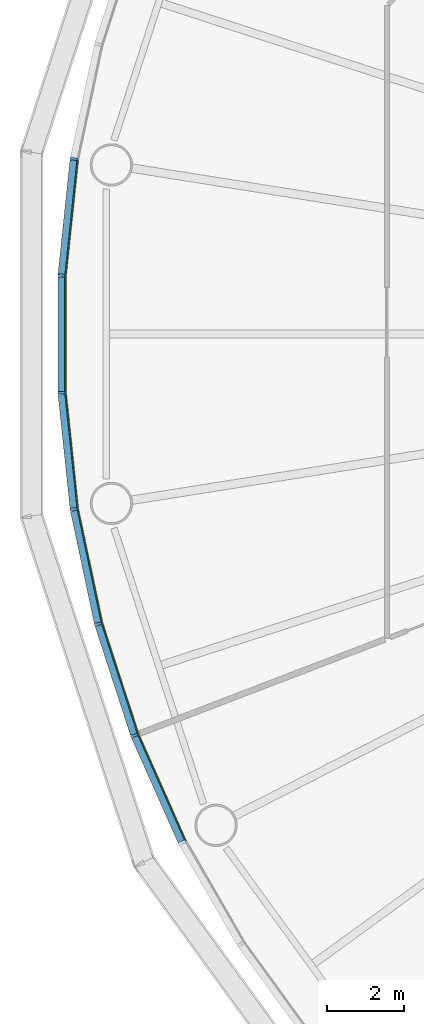
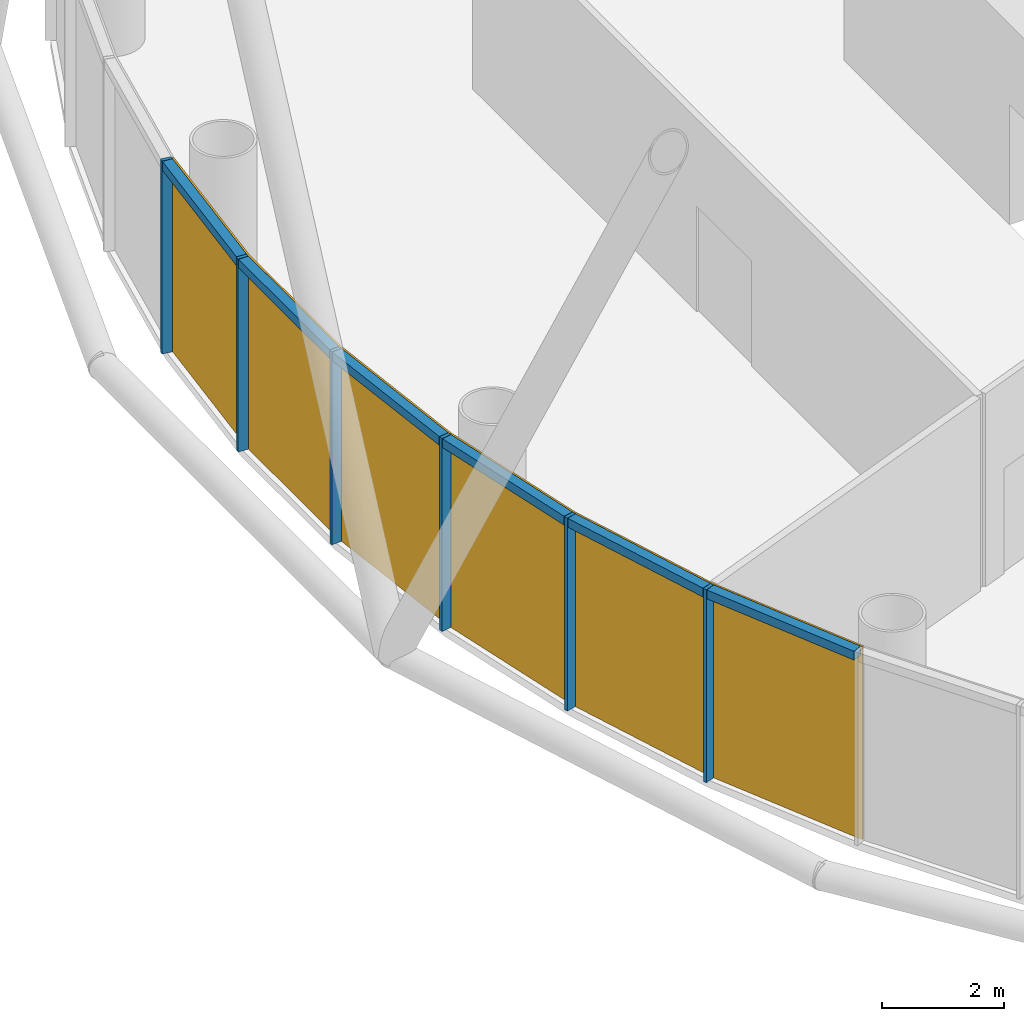
# One storey, part 7 of 12: 12 members, 2 curtain walls.
"""IFC4 building model written with IfcOpenShell, lengths in metres."""

from ifc_helpers import new_model, si_unit, direction, frame, origin, origin_2d, place, context, subcontext, project, spatial, polyline, rectangle, outline, extrude, material, layer, layer_set, material_profile, profile_set, type_object, element, aggregate, save


model = new_model("IFC4")

# Units and contexts
model_context = context("Model", 3, precision=1e-05, world=origin(), true_north=direction((0.0, 1.0)))
body_context = subcontext(model_context, "Body", "Model", "MODEL_VIEW")
ifc_project = project(units=[si_unit("LENGTHUNIT", "METRE"), si_unit("AREAUNIT", "SQUARE_METRE"), si_unit("VOLUMEUNIT", "CUBIC_METRE"), si_unit("PLANEANGLEUNIT", "RADIAN"), si_unit("MASSUNIT", "GRAM", prefix="KILO")], contexts=[model_context])

# Member
ifc_material_1 = material(Name="Anodised aluminium", Category="aluminium")
ifc_material_profile_1 = material_profile(ifc_material_1, rectangle(XDim=0.06494140625, YDim=0.18505859375, at=origin_2d()), Name="Mullion 65 x 185 mm anodised aluminium")
ifc_profile_set_1 = profile_set([ifc_material_profile_1], Name="Anodised aluminium")
member_type_1 = type_object("IfcMemberType", Name="Mullion 65 x 185 mm anodised aluminium", PredefinedType="MULLION", material=ifc_profile_set_1)
site_placement = place(None, origin())
building_placement = place(site_placement, origin())
storey_placement = place(building_placement, frame((0.0, 0.0, 144.0)))
member_1_placement = place(storey_placement, frame((61.265625, 84.551025390625, 0.0), z_axis=(0.0, 0.0, 1.0), x_axis=(-0.15643446504, -0.987688340595, 0.0)))
member_1 = element("IfcMember", 1, at=member_1_placement, type_object=member_type_1, Name="MULLION L32-27", PredefinedType="MULLION", context=body_context, shape_type="SweptSolid", body=[
    extrude(rectangle(XDim=0.06494140625, YDim=0.18505859375, at=origin_2d()), origin(), (0.0, 0.0, 1.0), 3.85009765625),
])

member_2_placement = place(storey_placement, frame((60.947265625, 81.522705078125, 0.0), z_axis=(0.0, 0.0, 1.0), x_axis=(-0.052335956243, -0.998629534755, 0.0)))
member_2 = element("IfcMember", 2, at=member_2_placement, type_object=member_type_1, Name="MULLION L32-28", PredefinedType="MULLION", context=body_context, shape_type="SweptSolid", body=[
    extrude(rectangle(XDim=0.06494140625, YDim=0.18505859375, at=origin_2d()), origin(), (0.0, 0.0, 1.0), 3.85009765625),
])

member_3_placement = place(storey_placement, frame((60.947265625, 78.477294921875, 0.0), z_axis=(0.0, 0.0, 1.0), x_axis=(0.052335956243, -0.998629534755, 0.0)))
member_3 = element("IfcMember", 3, at=member_3_placement, type_object=member_type_1, Name="MULLION L32-29", PredefinedType="MULLION", context=body_context, shape_type="SweptSolid", body=[
    extrude(rectangle(XDim=0.06494140625, YDim=0.18505859375, at=origin_2d()), origin(), (0.0, 0.0, 1.0), 3.85009765625),
])

member_4_placement = place(storey_placement, frame((61.265625, 75.448974609375, 0.0), z_axis=(0.0, 0.0, 1.0), x_axis=(0.15643446504, -0.987688340595, 0.0)))
member_4 = element("IfcMember", 4, at=member_4_placement, type_object=member_type_1, Name="MULLION L32-30", PredefinedType="MULLION", context=body_context, shape_type="SweptSolid", body=[
    extrude(rectangle(XDim=0.06494140625, YDim=0.18505859375, at=origin_2d()), origin(), (0.0, 0.0, 1.0), 3.85009765625),
])

member_5_placement = place(storey_placement, frame((61.898681640625, 72.47021484375, 0.0), z_axis=(0.0, 0.0, 1.0), x_axis=(0.258819045103, -0.965925826289, 0.0)))
member_5 = element("IfcMember", 5, at=member_5_placement, type_object=member_type_1, Name="MULLION L32-31", PredefinedType="MULLION", context=body_context, shape_type="SweptSolid", body=[
    extrude(rectangle(XDim=0.06494140625, YDim=0.18505859375, at=origin_2d()), origin(), (0.0, 0.0, 1.0), 3.85009765625),
])

member_6_placement = place(storey_placement, frame((62.83984375, 69.57421875, 0.0), z_axis=(0.0, 0.0, 1.0), x_axis=(0.358367949545, -0.933580426497, 0.0)))
member_6 = element("IfcMember", 6, at=member_6_placement, type_object=member_type_1, Name="MULLION L32-32", PredefinedType="MULLION", context=body_context, shape_type="SweptSolid", body=[
    extrude(rectangle(XDim=0.06494140625, YDim=0.18505859375, at=origin_2d()), origin(), (0.0, 0.0, 1.0), 3.85009765625),
])

ifc_material_2 = material(Name="Anodised aluminium", Category="aluminium")
ifc_material_profile_2 = material_profile(ifc_material_2, rectangle(XDim=0.18505859375, YDim=0.175048828125, at=origin_2d()), Name="Transom 175 x 185 mm anodised aluminium")
ifc_profile_set_2 = profile_set([ifc_material_profile_2], Name="Anodised aluminium")
member_type_2 = type_object("IfcMemberType", Name="Transom 175 x 185 mm anodised aluminium", PredefinedType="USERDEFINED", material=ifc_profile_set_2)
member_7_placement = place(storey_placement, frame((61.26171875, 84.513916015625, 3.762451171875), z_axis=(-0.104547872381, -0.994519855197, 0.0), x_axis=(0.994519855197, -0.104547872381, 0.0)))
member_7 = element("IfcMember", 7, at=member_7_placement, type_object=member_type_2, Name="TRANSOM L32-27", ObjectType="TRANSOM", PredefinedType="USERDEFINED", context=body_context, shape_type="SweptSolid", body=[
    extrude(rectangle(XDim=0.18505859375, YDim=0.175048828125, at=origin_2d()), origin(), (0.0, 0.0, 1.0), 2.970458984375),
])

member_8_placement = place(storey_placement, frame((60.947265625, 81.4853515625, 3.762451171875), z_axis=(0.0, -1.0, 0.0), x_axis=(1.0, 0.0, 0.0)))
member_8 = element("IfcMember", 8, at=member_8_placement, type_object=member_type_2, Name="TRANSOM L32-28", ObjectType="TRANSOM", PredefinedType="USERDEFINED", context=body_context, shape_type="SweptSolid", body=[
    extrude(rectangle(XDim=0.18505859375, YDim=0.175048828125, at=origin_2d()), origin(), (0.0, 0.0, 1.0), 2.970703125),
])

member_9_placement = place(storey_placement, frame((60.951171875, 78.440185546875, 3.762451171875), z_axis=(0.104547872381, -0.994519855197, 0.0), x_axis=(0.994519855197, 0.104547872381, 0.0)))
member_9 = element("IfcMember", 9, at=member_9_placement, type_object=member_type_2, Name="TRANSOM L32-29", ObjectType="TRANSOM", PredefinedType="USERDEFINED", context=body_context, shape_type="SweptSolid", body=[
    extrude(rectangle(XDim=0.18505859375, YDim=0.175048828125, at=origin_2d()), origin(), (0.0, 0.0, 1.0), 2.970458984375),
])

member_10_placement = place(storey_placement, frame((61.2734375, 75.412353515625, 3.762451171875), z_axis=(0.207861704825, -0.97815822425, 0.0), x_axis=(0.97815822425, 0.207861704825, 0.0)))
member_10 = element("IfcMember", 10, at=member_10_placement, type_object=member_type_2, Name="TRANSOM L32-30", ObjectType="TRANSOM", PredefinedType="USERDEFINED", context=body_context, shape_type="SweptSolid", body=[
    extrude(rectangle(XDim=0.18505859375, YDim=0.175048828125, at=origin_2d()), origin(), (0.0, 0.0, 1.0), 2.970458984375),
])

member_11_placement = place(storey_placement, frame((61.91015625, 72.434814453125, 3.762451171875), z_axis=(0.30901917063, -0.951055809184, 0.0), x_axis=(0.951055809184, 0.30901917063, 0.0)))
member_11 = element("IfcMember", 11, at=member_11_placement, type_object=member_type_2, Name="TRANSOM L32-31", ObjectType="TRANSOM", PredefinedType="USERDEFINED", context=body_context, shape_type="SweptSolid", body=[
    extrude(rectangle(XDim=0.18505859375, YDim=0.175048828125, at=origin_2d()), origin(), (0.0, 0.0, 1.0), 2.970703125),
])

member_12_placement = place(storey_placement, frame((62.85498046875, 69.5400390625, 3.762451171875), z_axis=(0.406687471156, -0.913567348806, 0.0), x_axis=(0.913567348806, 0.406687471156, 0.0)))
member_12 = element("IfcMember", 12, at=member_12_placement, type_object=member_type_2, Name="TRANSOM L32-32", ObjectType="TRANSOM", PredefinedType="USERDEFINED", context=body_context, shape_type="SweptSolid", body=[
    extrude(rectangle(XDim=0.18505859375, YDim=0.175048828125, at=origin_2d()), origin(), (0.0, 0.0, 1.0), 2.970458984375),
])

# Site, building, storey
site = spatial("IfcSite", under=ifc_project, at=site_placement, CompositionType="ELEMENT")
building = spatial("IfcBuilding", under=site, at=building_placement, Name="Entoto Ring Tower", CompositionType="ELEMENT")
storey = spatial("IfcBuildingStorey", under=building, at=storey_placement, Name="L32", CompositionType="ELEMENT", Elevation=144.0)

# Curtain wall
ifc_material_3 = material(Name="Clear low-iron glass", Category="glass")
ifc_layer = layer(ifc_material_3, 0.033935546875)
ifc_layer_set = layer_set([ifc_layer], Name="Clear low-iron glass")
curtain_wall_type = type_object("IfcCurtainWallType", Name="Curtain wall system CW3 glazing 34 mm", PredefinedType="NOTDEFINED", material=ifc_layer_set)
curtain_wall_1_placement = place(storey_placement, origin())
curtain_wall_1 = element("IfcCurtainWall", 13, at=curtain_wall_1_placement, inside=storey, type_object=curtain_wall_type, Name="CW3 L32-10", PredefinedType="NOTDEFINED", context=body_context, shape_type="SweptSolid", body=[
    extrude(outline(polyline([(61.35693359375, 84.53662109375), (61.039794921875, 81.517822265625), (61.039794921875, 78.482177734375), (61.35693359375, 75.46337890625), (61.390625, 75.46875), (61.07373046875, 78.484130859375), (61.07373046875, 81.515869140625), (61.390625, 84.53125), (61.35693359375, 84.53662109375)])), origin(), (0.0, 0.0, 1.0), 3.85009765625),
])

aggregate(curtain_wall_1, [member_1, member_2, member_3, member_7, member_8, member_9])

curtain_wall_2_placement = place(storey_placement, origin())
curtain_wall_2 = element("IfcCurtainWall", 14, at=curtain_wall_2_placement, inside=storey, type_object=curtain_wall_type, Name="CW3 L32-11", PredefinedType="NOTDEFINED", context=body_context, shape_type="SweptSolid", body=[
    extrude(outline(polyline([(61.35693359375, 75.46337890625), (61.988037109375, 72.494140625), (62.92626953125, 69.607421875), (64.160888671875, 66.834228515625), (64.191162109375, 66.849853515625), (62.9580078125, 69.61962890625), (62.02099609375, 72.503173828125), (61.390625, 75.46875), (61.35693359375, 75.46337890625)])), origin(), (0.0, 0.0, 1.0), 3.85009765625),
])

aggregate(curtain_wall_2, [member_4, member_5, member_6, member_10, member_11, member_12])

save(model, "model.ifc")
